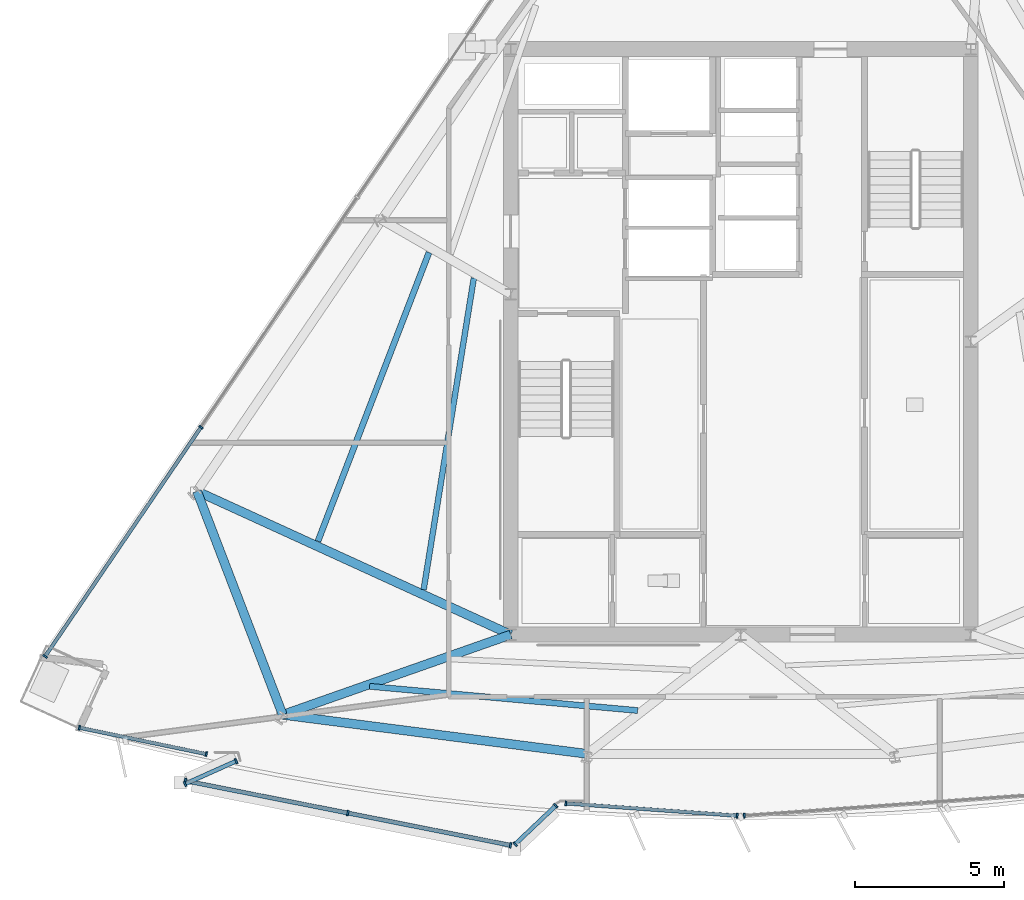
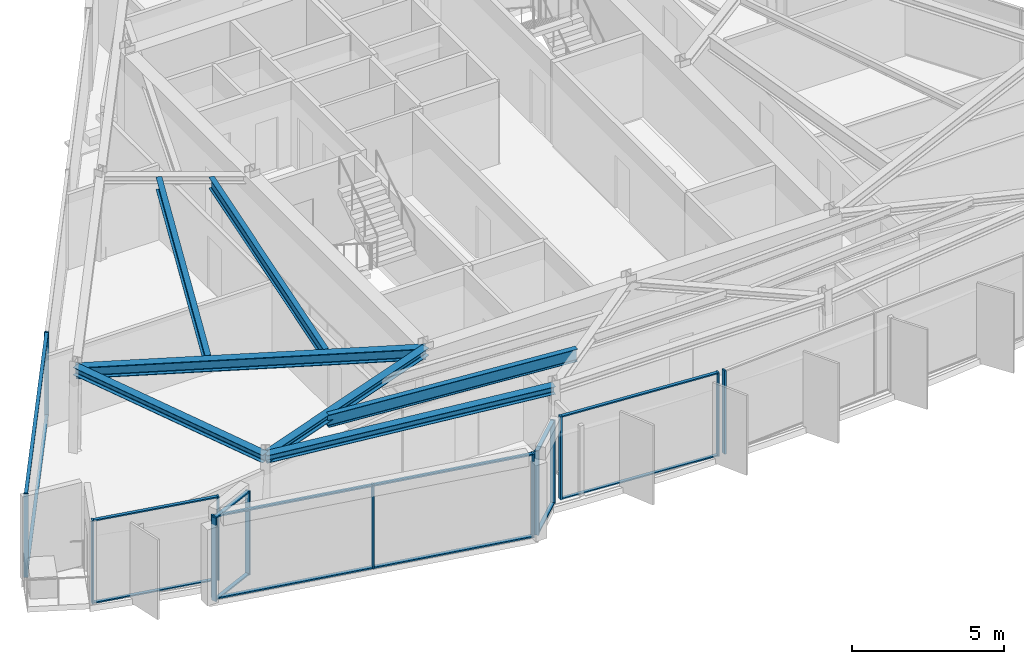
# One storey, part 2 of 13: 28 members, 7 beams, 7 elements without a shape of their own.
"""IFC4 building model written with IfcOpenShell, lengths in metres."""

from ifc_helpers import new_model, si_unit, direction, frame, origin, origin_2d, place, context, subcontext, project, spatial, rectangle, i_section, extrude, material, material_profile, profile_set, type_object, element, aggregate, save


model = new_model("IFC4")

# Units and contexts
model_context = context("Model", 3, precision=1e-05, world=origin(), true_north=direction((0.0, 1.0)))
body_context = subcontext(model_context, "Body", "Model", "MODEL_VIEW")
ifc_project = project(units=[si_unit("LENGTHUNIT", "METRE"), si_unit("AREAUNIT", "SQUARE_METRE"), si_unit("VOLUMEUNIT", "CUBIC_METRE"), si_unit("PLANEANGLEUNIT", "RADIAN"), si_unit("MASSUNIT", "GRAM", prefix="KILO")], contexts=[model_context])

# Site, building, storey
site_placement = place(None, origin())
site = spatial("IfcSite", under=ifc_project, at=site_placement, CompositionType="ELEMENT")
building_placement = place(site_placement, origin())
building = spatial("IfcBuilding", under=site, at=building_placement, Name="Savorim Split Tower", CompositionType="ELEMENT")
storey_placement = place(building_placement, frame((0.0, 0.0, 276.0)))
storey = spatial("IfcBuildingStorey", under=building, at=storey_placement, Name="L73", CompositionType="ELEMENT", Elevation=276.0)

# Beams
ifc_material_1 = material(Name="Steel S355", Category="steel")
ifc_material_profile_1 = material_profile(ifc_material_1, i_section(OverallWidth=0.18994140625, OverallDepth=0.449951171875, WebThickness=0.009521484375, FlangeThickness=0.0146484375, FilletRadius=0.02099609375, at=origin_2d()), Name="IPE 450")
ifc_profile_set_1 = profile_set([ifc_material_profile_1], Name="Steel S355")
beam_type_1 = type_object("IfcBeamType", Name="BM-JST-IPE450", PredefinedType="JOIST", material=ifc_profile_set_1)
beam_1_placement = place(storey_placement, frame((-8.934814453125, 2.5390625, 3.125), z_axis=(-0.158984831908, -0.987281025455, 0.0), x_axis=(0.987281025455, -0.158984831908, 0.0)))
element("IfcBeam", 1, at=beam_1_placement, inside=storey, type_object=beam_type_1, Name="L73 Secondary Floor Joist JS-11", PredefinedType="JOIST", context=body_context, shape_type="SweptSolid", body=[
    extrude(i_section(OverallWidth=0.18994140625, OverallDepth=0.449951171875, WebThickness=0.009521484375, FlangeThickness=0.0146484375, FilletRadius=0.02099609375, at=origin_2d()), origin(), (0.0, 0.0, 1.0), 10.5712890625),
])
ifc_material_profile_2 = material_profile(ifc_material_1, i_section(OverallWidth=0.199951171875, OverallDepth=0.5, WebThickness=0.01025390625, FlangeThickness=0.01611328125, FilletRadius=0.02099609375, at=origin_2d()), Name="IPE 500")
ifc_profile_set_2 = profile_set([ifc_material_profile_2], Name="Steel S355")
beam_type_2 = type_object("IfcBeamType", Name="BM-JST-IPE500", PredefinedType="JOIST", material=ifc_profile_set_2)
beam_2_placement = place(storey_placement, frame((-12.42578125, -11.13134765625, 3.10009765625), z_axis=(0.995965704707, -0.089734692548, 0.0), x_axis=(0.089734692548, 0.995965704707, 0.0)))
element("IfcBeam", 2, at=beam_2_placement, inside=storey, type_object=beam_type_2, Name="L73 Secondary Floor Joist JS-01", PredefinedType="JOIST", context=body_context, shape_type="SweptSolid", body=[
    extrude(i_section(OverallWidth=0.199951171875, OverallDepth=0.5, WebThickness=0.01025390625, FlangeThickness=0.01611328125, FilletRadius=0.02099609375, at=origin_2d()), origin(), (0.0, 0.0, 1.0), 9.013671875),
])
beam_3_placement = place(storey_placement, frame((-10.435546875, 3.394287109375, 3.10009765625), z_axis=(-0.358988555105, -0.933341961611, 0.0), x_axis=(0.933341961611, -0.358988555105, 0.0)))
element("IfcBeam", 3, at=beam_3_placement, inside=storey, type_object=beam_type_2, Name="L73 Secondary Floor Joist JS-10", PredefinedType="JOIST", context=body_context, shape_type="SweptSolid", body=[
    extrude(i_section(OverallWidth=0.199951171875, OverallDepth=0.5, WebThickness=0.01025390625, FlangeThickness=0.01611328125, FilletRadius=0.02099609375, at=origin_2d()), origin(), (0.0, 0.0, 1.0), 10.35888671875),
])
ifc_material_profile_3 = material_profile(ifc_material_1, i_section(OverallWidth=0.300048828125, OverallDepth=0.300048828125, WebThickness=0.010986328125, FlangeThickness=0.01904296875, FilletRadius=0.027099609375, at=origin_2d()), Name="HEB 300")
ifc_profile_set_3 = profile_set([ifc_material_profile_3], Name="Steel S355")
beam_type_3 = type_object("IfcBeamType", Name="BM-PRI-HEB300", PredefinedType="BEAM", material=ifc_profile_set_3)
beam_4_placement = place(storey_placement, frame((-15.333251953125, -12.082763671875, 3.199951171875), z_axis=(0.943425703044, 0.331583990621, 0.0), x_axis=(-0.331583990621, 0.943425703044, 0.0)))
element("IfcBeam", 4, at=beam_4_placement, inside=storey, type_object=beam_type_3, Name="L73 Primary Floor Girder RG-01", PredefinedType="BEAM", context=body_context, shape_type="SweptSolid", body=[
    extrude(i_section(OverallWidth=0.300048828125, OverallDepth=0.300048828125, WebThickness=0.010986328125, FlangeThickness=0.01904296875, FilletRadius=0.027099609375, at=origin_2d()), origin(), (0.0, 0.0, 1.0), 8.091064453125),
])
ifc_material_profile_4 = material_profile(ifc_material_1, i_section(OverallWidth=0.300048828125, OverallDepth=0.449951171875, WebThickness=0.013916015625, FlangeThickness=0.02587890625, FilletRadius=0.027099609375, at=origin_2d()), Name="HEB 450")
ifc_profile_set_4 = profile_set([ifc_material_profile_4], Name="Steel S355")
beam_type_4 = type_object("IfcBeamType", Name="BM-PRI-HEB450", PredefinedType="BEAM", material=ifc_profile_set_4)
beam_5_placement = place(storey_placement, frame((-18.202880859375, -4.59912109375, 3.125), z_axis=(0.909492746609, -0.415719790082, 0.0), x_axis=(0.415719790082, 0.909492746609, 0.0)))
element("IfcBeam", 5, at=beam_5_placement, inside=storey, type_object=beam_type_4, Name="L73 Primary Floor Girder RG-10", PredefinedType="BEAM", context=body_context, shape_type="SweptSolid", body=[
    extrude(i_section(OverallWidth=0.300048828125, OverallDepth=0.449951171875, WebThickness=0.013916015625, FlangeThickness=0.02587890625, FilletRadius=0.027099609375, at=origin_2d()), origin(), (0.0, 0.0, 1.0), 11.548095703125),
])
ifc_material_profile_5 = material_profile(ifc_material_1, i_section(OverallWidth=0.300048828125, OverallDepth=0.31005859375, WebThickness=0.009033203125, FlangeThickness=0.015380859375, FilletRadius=0.027099609375, at=origin_2d()), Name="HEA 320")
ifc_profile_set_5 = profile_set([ifc_material_profile_5], Name="Steel S355")
beam_type_5 = type_object("IfcBeamType", Name="BM-SPN-HEA320", PredefinedType="SPANDREL", material=ifc_profile_set_5)
beam_6_placement = place(storey_placement, frame((-15.333251953125, -12.082763671875, 3.195068359375), z_axis=(0.991858678419, -0.127343480578, 0.0), x_axis=(0.127343480578, 0.991858678419, 0.0)))
element("IfcBeam", 6, at=beam_6_placement, inside=storey, type_object=beam_type_5, Name="L73 Perimeter Spandrel Beam 1", PredefinedType="SPANDREL", context=body_context, shape_type="SweptSolid", body=[
    extrude(i_section(OverallWidth=0.300048828125, OverallDepth=0.31005859375, WebThickness=0.009033203125, FlangeThickness=0.015380859375, FilletRadius=0.027099609375, at=origin_2d()), origin(), (0.0, 0.0, 1.0), 10.278076171875),
])
beam_7_placement = place(storey_placement, frame((-18.202880859375, -4.59912109375, 3.195068359375), z_axis=(0.358033831777, -0.933708613703, 0.0), x_axis=(0.933708613703, 0.358033831777, 0.0)))
element("IfcBeam", 7, at=beam_7_placement, inside=storey, type_object=beam_type_5, Name="L73 Perimeter Spandrel Beam 10", PredefinedType="SPANDREL", context=body_context, shape_type="SweptSolid", body=[
    extrude(i_section(OverallWidth=0.300048828125, OverallDepth=0.31005859375, WebThickness=0.009033203125, FlangeThickness=0.015380859375, FilletRadius=0.027099609375, at=origin_2d()), origin(), (0.0, 0.0, 1.0), 8.014892578125),
])

# Curtain wall, members
ifc_material_2 = material(Name="Dark Ceramic-Fritted Insulated Glass", Category="glass")
curtain_wall_type_1 = type_object("IfcCurtainWallType", Name="CW-TWR-FRIT-B", PredefinedType="NOTDEFINED", material=ifc_material_2)
curtain_wall_1_placement = place(storey_placement, origin())
curtain_wall_1 = element("IfcCurtainWall", 8, at=curtain_wall_1_placement, inside=storey, type_object=curtain_wall_type_1, Name="L73 Curtain Wall CW-L73-SF1A", PredefinedType="NOTDEFINED")
ifc_material_3 = material(Name="Charcoal Anodised Aluminium", Category="aluminium")
ifc_material_profile_6 = material_profile(ifc_material_3, rectangle(XDim=0.159912109375, YDim=0.06005859375, at=origin_2d()), Name="ALU-M 160x60")
ifc_profile_set_6 = profile_set([ifc_material_profile_6], Name="Charcoal Anodised Aluminium")
member_type_1 = type_object("IfcMemberType", Name="CWM-160x60", PredefinedType="MULLION", material=ifc_profile_set_6)
member_1_placement = place(storey_placement, frame((-22.142333984375, -12.514892578125, 0.0), z_axis=(0.0, 0.0, 1.0), x_axis=(0.203220155852, 0.979133069739, 0.0)))
member_1 = element("IfcMember", 9, at=member_1_placement, type_object=member_type_1, Name="CW-03 mullion 1", PredefinedType="MULLION", context=body_context, shape_type="SweptSolid", body=[
    extrude(rectangle(XDim=0.159912109375, YDim=0.06005859375, at=origin_2d()), origin(), (0.0, 0.0, 1.0), 3.35009765625),
])
member_2_placement = place(storey_placement, frame((-17.891845703125, -13.397216796875, 0.0), z_axis=(0.0, 0.0, 1.0), x_axis=(0.203220155852, 0.979133069739, 0.0)))
member_2 = element("IfcMember", 10, at=member_2_placement, type_object=member_type_1, Name="CW-03 mullion 2", PredefinedType="MULLION", context=body_context, shape_type="SweptSolid", body=[
    extrude(rectangle(XDim=0.159912109375, YDim=0.06005859375, at=origin_2d()), origin(), (0.0, 0.0, 1.0), 3.35009765625),
])

curtain_wall_2_placement = place(storey_placement, origin())
curtain_wall_2 = element("IfcCurtainWall", 11, at=curtain_wall_2_placement, inside=storey, type_object=curtain_wall_type_1, Name="L73 Curtain Wall CW-L73-SF2A", PredefinedType="NOTDEFINED")
member_3_placement = place(storey_placement, frame((-5.8525390625, -15.048828125, 0.0), z_axis=(0.0, 0.0, 1.0), x_axis=(0.071561606808, 0.997436181633, 0.0)))
member_3 = element("IfcMember", 12, at=member_3_placement, type_object=member_type_1, Name="CW-03 mullion 1", PredefinedType="MULLION", context=body_context, shape_type="SweptSolid", body=[
    extrude(rectangle(XDim=0.159912109375, YDim=0.06005859375, at=origin_2d()), origin(), (0.0, 0.0, 1.0), 3.35009765625),
])
member_4_placement = place(storey_placement, frame((-0.12109375, -15.4599609375, 0.0), z_axis=(0.0, 0.0, 1.0), x_axis=(0.071561606808, 0.997436181633, 0.0)))
member_4 = element("IfcMember", 13, at=member_4_placement, type_object=member_type_1, Name="CW-03 mullion 2", PredefinedType="MULLION", context=body_context, shape_type="SweptSolid", body=[
    extrude(rectangle(XDim=0.159912109375, YDim=0.06005859375, at=origin_2d()), origin(), (0.0, 0.0, 1.0), 3.35009765625),
])

# Curtain wall, member
curtain_wall_3_placement = place(storey_placement, origin())
curtain_wall_3 = element("IfcCurtainWall", 14, at=curtain_wall_3_placement, inside=storey, type_object=curtain_wall_type_1, Name="L73 Curtain Wall CW-L73-SF3A", PredefinedType="NOTDEFINED")
member_5_placement = place(storey_placement, frame((0.12109375, -15.4599609375, 0.0), z_axis=(0.0, 0.0, 1.0), x_axis=(-0.071560201608, 0.997436282449, 0.0)))
member_5 = element("IfcMember", 15, at=member_5_placement, type_object=member_type_1, Name="CW-03 mullion 1", PredefinedType="MULLION", context=body_context, shape_type="SweptSolid", body=[
    extrude(rectangle(XDim=0.159912109375, YDim=0.06005859375, at=origin_2d()), origin(), (0.0, 0.0, 1.0), 3.35009765625),
])
aggregate(curtain_wall_3, [member_5])

# Curtain wall, members
curtain_wall_4_placement = place(storey_placement, origin())
curtain_wall_4 = element("IfcCurtainWall", 16, at=curtain_wall_4_placement, inside=storey, type_object=curtain_wall_type_1, Name="L73 Curtain Wall CW-L73-WEST", PredefinedType="NOTDEFINED")
member_6_placement = place(storey_placement, frame((-18.0693359375, -2.455078125, 0.0), z_axis=(0.0, 0.0, 1.0), x_axis=(0.826817636776, -0.562470084107, 0.0)))
member_6 = element("IfcMember", 17, at=member_6_placement, type_object=member_type_1, Name="CW-03 mullion 3", PredefinedType="MULLION", context=body_context, shape_type="SweptSolid", body=[
    extrude(rectangle(XDim=0.159912109375, YDim=0.06005859375, at=origin_2d()), origin(), (0.0, 0.0, 1.0), 3.35009765625),
])
member_7_placement = place(storey_placement, frame((-23.29052734375, -10.130126953125, 0.0), z_axis=(0.0, 0.0, 1.0), x_axis=(0.826817636776, -0.562470084107, 0.0)))
member_7 = element("IfcMember", 18, at=member_7_placement, type_object=member_type_1, Name="CW-03 mullion 4", PredefinedType="MULLION", context=body_context, shape_type="SweptSolid", body=[
    extrude(rectangle(XDim=0.159912109375, YDim=0.06005859375, at=origin_2d()), origin(), (0.0, 0.0, 1.0), 3.35009765625),
])

curtain_wall_type_2 = type_object("IfcCurtainWallType", Name="CW-BAY-LOUNGE", PredefinedType="NOTDEFINED", material=ifc_material_2)
curtain_wall_5_placement = place(storey_placement, origin())
curtain_wall_5 = element("IfcCurtainWall", 19, at=curtain_wall_5_placement, inside=storey, type_object=curtain_wall_type_2, Name="L73 Curtain Wall CW-L73-BAYF", PredefinedType="NOTDEFINED")
ifc_material_profile_7 = material_profile(ifc_material_3, rectangle(XDim=0.179931640625, YDim=0.06494140625, at=origin_2d()), Name="ALU-M 180x65")
ifc_profile_set_7 = profile_set([ifc_material_profile_7], Name="Charcoal Anodised Aluminium")
member_type_2 = type_object("IfcMemberType", Name="CWM-180x65", PredefinedType="MULLION", material=ifc_profile_set_7)
member_8_placement = place(storey_placement, frame((-18.5947265625, -14.29345703125, 0.0), z_axis=(0.0, 0.0, 1.0), x_axis=(0.194484421737, 0.980905606927, 0.0)))
member_8 = element("IfcMember", 20, at=member_8_placement, type_object=member_type_2, Name="CW-04 mullion 1", PredefinedType="MULLION", context=body_context, shape_type="SweptSolid", body=[
    extrude(rectangle(XDim=0.179931640625, YDim=0.06494140625, at=origin_2d()), origin(), (0.0, 0.0, 1.0), 3.35009765625),
])
member_9_placement = place(storey_placement, frame((-13.15185546875, -15.37255859375, 0.0), z_axis=(0.0, 0.0, 1.0), x_axis=(0.194484421737, 0.980905606927, 0.0)))
member_9 = element("IfcMember", 21, at=member_9_placement, type_object=member_type_2, Name="CW-04 mullion 2", PredefinedType="MULLION", context=body_context, shape_type="SweptSolid", body=[
    extrude(rectangle(XDim=0.179931640625, YDim=0.06494140625, at=origin_2d()), origin(), (0.0, 0.0, 1.0), 3.35009765625),
])
member_10_placement = place(storey_placement, frame((-7.708740234375, -16.45166015625, 0.0), z_axis=(0.0, 0.0, 1.0), x_axis=(0.194484421737, 0.980905606927, 0.0)))
member_10 = element("IfcMember", 22, at=member_10_placement, type_object=member_type_2, Name="CW-04 mullion 3", PredefinedType="MULLION", context=body_context, shape_type="SweptSolid", body=[
    extrude(rectangle(XDim=0.179931640625, YDim=0.06494140625, at=origin_2d()), origin(), (0.0, 0.0, 1.0), 3.35009765625),
])

curtain_wall_6_placement = place(storey_placement, origin())
curtain_wall_6 = element("IfcCurtainWall", 23, at=curtain_wall_6_placement, inside=storey, type_object=curtain_wall_type_2, Name="L73 Curtain Wall CW-L73-BAYW", PredefinedType="NOTDEFINED")
member_11_placement = place(storey_placement, frame((-16.89111328125, -13.631591796875, 0.0), z_axis=(0.0, 0.0, 1.0), x_axis=(0.409230543501, -0.912431017812, 0.0)))
member_11 = element("IfcMember", 24, at=member_11_placement, type_object=member_type_2, Name="CW-04 mullion 1", PredefinedType="MULLION", context=body_context, shape_type="SweptSolid", body=[
    extrude(rectangle(XDim=0.179931640625, YDim=0.06494140625, at=origin_2d()), origin(), (0.0, 0.0, 1.0), 3.35009765625),
])
member_12_placement = place(storey_placement, frame((-18.60205078125, -14.39892578125, 0.0), z_axis=(0.0, 0.0, 1.0), x_axis=(0.409230543501, -0.912431017812, 0.0)))
member_12 = element("IfcMember", 25, at=member_12_placement, type_object=member_type_2, Name="CW-04 mullion 2", PredefinedType="MULLION", context=body_context, shape_type="SweptSolid", body=[
    extrude(rectangle(XDim=0.179931640625, YDim=0.06494140625, at=origin_2d()), origin(), (0.0, 0.0, 1.0), 3.35009765625),
])

curtain_wall_7_placement = place(storey_placement, origin())
curtain_wall_7 = element("IfcCurtainWall", 26, at=curtain_wall_7_placement, inside=storey, type_object=curtain_wall_type_2, Name="L73 Curtain Wall CW-L73-BAYE", PredefinedType="NOTDEFINED")
member_13_placement = place(storey_placement, frame((-7.55126953125, -16.415771484375, 0.0), z_axis=(0.0, 0.0, 1.0), x_axis=(-0.687750367057, 0.725947265725, 0.0)))
member_13 = element("IfcMember", 27, at=member_13_placement, type_object=member_type_2, Name="CW-04 mullion 1", PredefinedType="MULLION", context=body_context, shape_type="SweptSolid", body=[
    extrude(rectangle(XDim=0.179931640625, YDim=0.06494140625, at=origin_2d()), origin(), (0.0, 0.0, 1.0), 3.35009765625),
])
member_14_placement = place(storey_placement, frame((-6.190185546875, -15.126220703125, 0.0), z_axis=(0.0, 0.0, 1.0), x_axis=(-0.687750367057, 0.725947265725, 0.0)))
member_14 = element("IfcMember", 28, at=member_14_placement, type_object=member_type_2, Name="CW-04 mullion 2", PredefinedType="MULLION", context=body_context, shape_type="SweptSolid", body=[
    extrude(rectangle(XDim=0.179931640625, YDim=0.06494140625, at=origin_2d()), origin(), (0.0, 0.0, 1.0), 3.35009765625),
])

# Member
ifc_material_profile_8 = material_profile(ifc_material_3, rectangle(XDim=0.1201171875, YDim=0.050048828125, at=origin_2d()), Name="ALU-T 120x50")
ifc_profile_set_8 = profile_set([ifc_material_profile_8], Name="Charcoal Anodised Aluminium")
member_type_3 = type_object("IfcMemberType", Name="CWT-120x50", PredefinedType="USERDEFINED", material=ifc_profile_set_8)
member_15_placement = place(storey_placement, frame((-22.113037109375, -12.52099609375, 0.02490234375), z_axis=(0.979129127242, -0.203239150232, 0.0), x_axis=(0.203239150232, 0.979129127242, 0.0)))
member_15 = element("IfcMember", 29, at=member_15_placement, type_object=member_type_3, Name="CW-03 transom 1.1", ObjectType="TRANSOM", PredefinedType="USERDEFINED", context=body_context, shape_type="SweptSolid", body=[
    extrude(rectangle(XDim=0.1201171875, YDim=0.050048828125, at=origin_2d()), origin(), (0.0, 0.0, 1.0), 4.28125),
])

member_16_placement = place(storey_placement, frame((-22.113037109375, -12.52099609375, 3.324951171875), z_axis=(0.979129127242, -0.203239150232, 0.0), x_axis=(0.203239150232, 0.979129127242, 0.0)))
member_16 = element("IfcMember", 30, at=member_16_placement, type_object=member_type_3, Name="CW-03 transom 1.2", ObjectType="TRANSOM", PredefinedType="USERDEFINED", context=body_context, shape_type="SweptSolid", body=[
    extrude(rectangle(XDim=0.1201171875, YDim=0.050048828125, at=origin_2d()), origin(), (0.0, 0.0, 1.0), 4.28125),
])

aggregate(curtain_wall_1, [member_1, member_2, member_15, member_16])

member_17_placement = place(storey_placement, frame((-5.82275390625, -15.051025390625, 0.02490234375), z_axis=(0.997435326085, -0.071573530566, 0.0), x_axis=(0.071573530566, 0.997435326085, 0.0)))
member_17 = element("IfcMember", 31, at=member_17_placement, type_object=member_type_3, Name="CW-03 transom 1.1", ObjectType="TRANSOM", PredefinedType="USERDEFINED", context=body_context, shape_type="SweptSolid", body=[
    extrude(rectangle(XDim=0.1201171875, YDim=0.050048828125, at=origin_2d()), origin(), (0.0, 0.0, 1.0), 5.686279296875),
])

member_18_placement = place(storey_placement, frame((-5.82275390625, -15.051025390625, 3.324951171875), z_axis=(0.997435326085, -0.071573530566, 0.0), x_axis=(0.071573530566, 0.997435326085, 0.0)))
member_18 = element("IfcMember", 32, at=member_18_placement, type_object=member_type_3, Name="CW-03 transom 1.2", ObjectType="TRANSOM", PredefinedType="USERDEFINED", context=body_context, shape_type="SweptSolid", body=[
    extrude(rectangle(XDim=0.1201171875, YDim=0.050048828125, at=origin_2d()), origin(), (0.0, 0.0, 1.0), 5.686279296875),
])

aggregate(curtain_wall_2, [member_3, member_4, member_17, member_18])

member_19_placement = place(storey_placement, frame((-18.08642578125, -2.47998046875, 0.02490234375), z_axis=(-0.562452655361, -0.826829492989, 0.0), x_axis=(0.826829492989, -0.562452655361, 0.0)))
member_19 = element("IfcMember", 33, at=member_19_placement, type_object=member_type_3, Name="CW-03 transom 3.1", ObjectType="TRANSOM", PredefinedType="USERDEFINED", context=body_context, shape_type="SweptSolid", body=[
    extrude(rectangle(XDim=0.1201171875, YDim=0.050048828125, at=origin_2d()), origin(), (0.0, 0.0, 1.0), 9.22265625),
])

member_20_placement = place(storey_placement, frame((-18.08642578125, -2.47998046875, 3.324951171875), z_axis=(-0.562452655361, -0.826829492989, 0.0), x_axis=(0.826829492989, -0.562452655361, 0.0)))
member_20 = element("IfcMember", 34, at=member_20_placement, type_object=member_type_3, Name="CW-03 transom 3.2", ObjectType="TRANSOM", PredefinedType="USERDEFINED", context=body_context, shape_type="SweptSolid", body=[
    extrude(rectangle(XDim=0.1201171875, YDim=0.050048828125, at=origin_2d()), origin(), (0.0, 0.0, 1.0), 9.22265625),
])

aggregate(curtain_wall_4, [member_6, member_7, member_19, member_20])

ifc_material_profile_9 = material_profile(ifc_material_3, rectangle(XDim=0.139892578125, YDim=0.054931640625, at=origin_2d()), Name="ALU-T 140x55")
ifc_profile_set_9 = profile_set([ifc_material_profile_9], Name="Charcoal Anodised Aluminium")
member_type_4 = type_object("IfcMemberType", Name="CWT-140x55", PredefinedType="USERDEFINED", material=ifc_profile_set_9)
member_21_placement = place(storey_placement, frame((-18.562744140625, -14.2998046875, 0.027587890625), z_axis=(0.980909759064, -0.194463478763, 0.0), x_axis=(0.194463478763, 0.980909759064, 0.0)))
member_21 = element("IfcMember", 35, at=member_21_placement, type_object=member_type_4, Name="CW-04 transom 1.1", ObjectType="TRANSOM", PredefinedType="USERDEFINED", context=body_context, shape_type="SweptSolid", body=[
    extrude(rectangle(XDim=0.139892578125, YDim=0.054931640625, at=origin_2d()), origin(), (0.0, 0.0, 1.0), 5.48388671875),
])

member_22_placement = place(storey_placement, frame((-18.562744140625, -14.2998046875, 3.322509765625), z_axis=(0.980909759064, -0.194463478763, 0.0), x_axis=(0.194463478763, 0.980909759064, 0.0)))
member_22 = element("IfcMember", 36, at=member_22_placement, type_object=member_type_4, Name="CW-04 transom 1.2", ObjectType="TRANSOM", PredefinedType="USERDEFINED", context=body_context, shape_type="SweptSolid", body=[
    extrude(rectangle(XDim=0.139892578125, YDim=0.054931640625, at=origin_2d()), origin(), (0.0, 0.0, 1.0), 5.48388671875),
])

member_23_placement = place(storey_placement, frame((-13.119873046875, -15.37890625, 0.027587890625), z_axis=(0.980901265957, -0.194506314663, 0.0), x_axis=(0.194506314663, 0.980901265957, 0.0)))
member_23 = element("IfcMember", 37, at=member_23_placement, type_object=member_type_4, Name="CW-04 transom 2.1", ObjectType="TRANSOM", PredefinedType="USERDEFINED", context=body_context, shape_type="SweptSolid", body=[
    extrude(rectangle(XDim=0.139892578125, YDim=0.054931640625, at=origin_2d()), origin(), (0.0, 0.0, 1.0), 5.48388671875),
])

member_24_placement = place(storey_placement, frame((-13.119873046875, -15.37890625, 3.322509765625), z_axis=(0.980901265957, -0.194506314663, 0.0), x_axis=(0.194506314663, 0.980901265957, 0.0)))
member_24 = element("IfcMember", 38, at=member_24_placement, type_object=member_type_4, Name="CW-04 transom 2.2", ObjectType="TRANSOM", PredefinedType="USERDEFINED", context=body_context, shape_type="SweptSolid", body=[
    extrude(rectangle(XDim=0.139892578125, YDim=0.054931640625, at=origin_2d()), origin(), (0.0, 0.0, 1.0), 5.48388671875),
])

aggregate(curtain_wall_5, [member_8, member_9, member_10, member_21, member_22, member_23, member_24])

member_25_placement = place(storey_placement, frame((-16.9208984375, -13.64501953125, 0.027587890625), z_axis=(-0.912465910851, -0.409152736193, 0.0), x_axis=(0.409152736193, -0.912465910851, 0.0)))
member_25 = element("IfcMember", 39, at=member_25_placement, type_object=member_type_4, Name="CW-04 transom 1.1", ObjectType="TRANSOM", PredefinedType="USERDEFINED", context=body_context, shape_type="SweptSolid", body=[
    extrude(rectangle(XDim=0.139892578125, YDim=0.054931640625, at=origin_2d()), origin(), (0.0, 0.0, 1.0), 1.809814453125),
])

member_26_placement = place(storey_placement, frame((-16.9208984375, -13.64501953125, 3.322509765625), z_axis=(-0.912465910851, -0.409152736193, 0.0), x_axis=(0.409152736193, -0.912465910851, 0.0)))
member_26 = element("IfcMember", 40, at=member_26_placement, type_object=member_type_4, Name="CW-04 transom 1.2", ObjectType="TRANSOM", PredefinedType="USERDEFINED", context=body_context, shape_type="SweptSolid", body=[
    extrude(rectangle(XDim=0.139892578125, YDim=0.054931640625, at=origin_2d()), origin(), (0.0, 0.0, 1.0), 1.809814453125),
])

aggregate(curtain_wall_6, [member_11, member_12, member_25, member_26])

member_27_placement = place(storey_placement, frame((-7.527587890625, -16.393310546875, 0.027587890625), z_axis=(0.726002307445, 0.687692263723, 0.0), x_axis=(-0.687692263723, 0.726002307445, 0.0)))
member_27 = element("IfcMember", 41, at=member_27_placement, type_object=member_type_4, Name="CW-04 transom 1.1", ObjectType="TRANSOM", PredefinedType="USERDEFINED", context=body_context, shape_type="SweptSolid", body=[
    extrude(rectangle(XDim=0.139892578125, YDim=0.054931640625, at=origin_2d()), origin(), (0.0, 0.0, 1.0), 1.809814453125),
])

member_28_placement = place(storey_placement, frame((-7.527587890625, -16.393310546875, 3.322509765625), z_axis=(0.726002307445, 0.687692263723, 0.0), x_axis=(-0.687692263723, 0.726002307445, 0.0)))
member_28 = element("IfcMember", 42, at=member_28_placement, type_object=member_type_4, Name="CW-04 transom 1.2", ObjectType="TRANSOM", PredefinedType="USERDEFINED", context=body_context, shape_type="SweptSolid", body=[
    extrude(rectangle(XDim=0.139892578125, YDim=0.054931640625, at=origin_2d()), origin(), (0.0, 0.0, 1.0), 1.809814453125),
])

aggregate(curtain_wall_7, [member_13, member_14, member_27, member_28])

save(model, "model.ifc")
